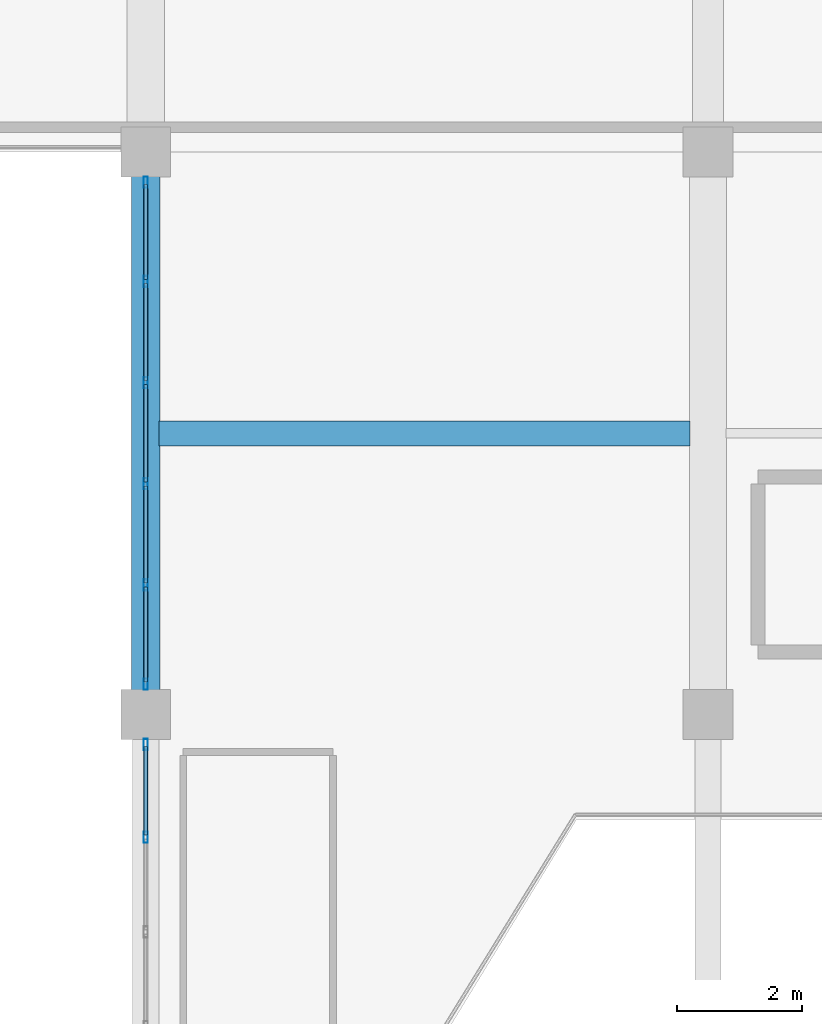
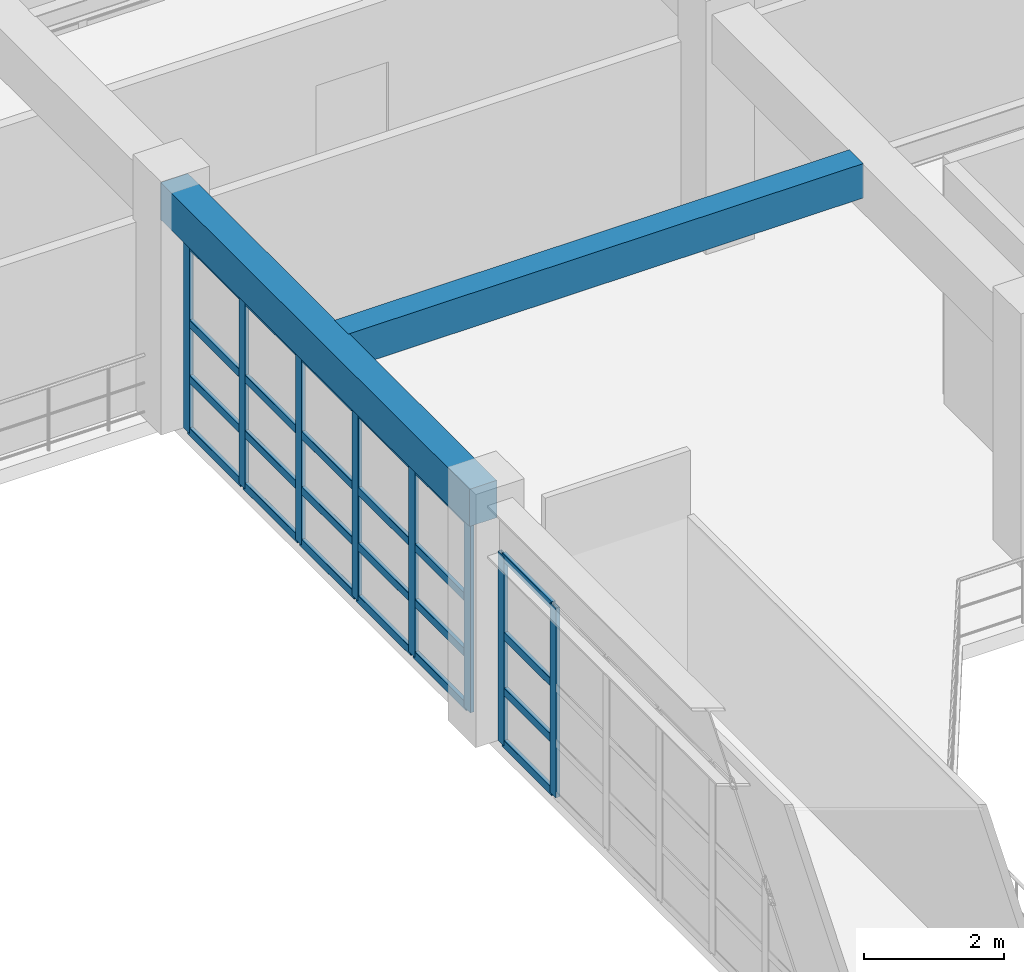
# One storey, part 48 of 133: 32 members, 2 beams, 2 elements without a shape of their own.
"""IFC4 building model written with IfcOpenShell, lengths in metres."""

from ifc_helpers import new_model, si_unit, direction, frame, origin, origin_2d, place, context, subcontext, project, spatial, rectangle, hollow_rectangle, extrude, material, material_profile, profile_set, type_object, element, aggregate, save


model = new_model("IFC4")

# Units and contexts
model_context = context("Model", 3, precision=1e-05, world=origin(), true_north=direction((0.0, 1.0)))
body_context = subcontext(model_context, "Body", "Model", "MODEL_VIEW")
ifc_project = project(units=[si_unit("LENGTHUNIT", "METRE"), si_unit("AREAUNIT", "SQUARE_METRE"), si_unit("VOLUMEUNIT", "CUBIC_METRE"), si_unit("PLANEANGLEUNIT", "RADIAN"), si_unit("MASSUNIT", "GRAM", prefix="KILO")], contexts=[model_context])

# Site, building, storey
site_placement = place(None, origin())
site = spatial("IfcSite", under=ifc_project, at=site_placement, CompositionType="ELEMENT")
building_placement = place(site_placement, origin())
building = spatial("IfcBuilding", under=site, at=building_placement, Name="Miravela Opera House", CompositionType="ELEMENT")
storey_placement = place(building_placement, frame((0.0, 0.0, 5.10009765625)))
storey = spatial("IfcBuildingStorey", under=building, at=storey_placement, Name="L01", CompositionType="ELEMENT", Elevation=5.10009765625)

# Curtain wall, members
ifc_material_1 = material(Name="Anodised architectural bronze aluminium 6063-T6", Category="aluminium")
curtain_wall_type = type_object("IfcCurtainWallType", Name="ARC-CW-01", PredefinedType="NOTDEFINED", material=ifc_material_1)
curtain_wall_1_placement = place(storey_placement, origin())
curtain_wall_1 = element("IfcCurtainWall", 1, at=curtain_wall_1_placement, inside=storey, type_object=curtain_wall_type, Name="West Foyer Upper Recessed Glazing CW-L01-005", PredefinedType="NOTDEFINED")
ifc_material_profile_1 = material_profile(ifc_material_1, hollow_rectangle(XDim=0.06494140625, YDim=0.179931640625, WallThickness=0.00390625, InnerFilletRadius=0.001953125, OuterFilletRadius=0.00390625, at=origin_2d()), Name="CWM-65X180")
ifc_profile_set_1 = profile_set([ifc_material_profile_1])
member_type_1 = type_object("IfcMemberType", Name="ARC-CWM-180", PredefinedType="MULLION", material=ifc_profile_set_1)
member_1_placement = place(storey_placement, frame((27.0, 64.033447265625, 0.0), z_axis=(0.0, 0.0, 1.0), x_axis=(-1.0, 0.0, 0.0)))
member_1 = element("IfcMember", 2, at=member_1_placement, type_object=member_type_1, Name="CW-01 mullion 6", PredefinedType="MULLION", context=body_context, shape_type="SweptSolid", body=[
    extrude(hollow_rectangle(XDim=0.06494140625, YDim=0.179931640625, WallThickness=0.00390625, InnerFilletRadius=0.001953125, OuterFilletRadius=0.00390625, at=origin_2d()), origin(), (0.0, 0.0, 1.0), 3.309814453125),
])
member_2_placement = place(storey_placement, frame((27.0, 65.517578125, 0.0), z_axis=(0.0, 0.0, 1.0), x_axis=(-1.0, 0.0, 0.0)))
member_2 = element("IfcMember", 3, at=member_2_placement, type_object=member_type_1, Name="CW-01 mullion 7", PredefinedType="MULLION", context=body_context, shape_type="SweptSolid", body=[
    extrude(hollow_rectangle(XDim=0.06494140625, YDim=0.179931640625, WallThickness=0.00390625, InnerFilletRadius=0.001953125, OuterFilletRadius=0.00390625, at=origin_2d()), origin(), (0.0, 0.0, 1.0), 3.309814453125),
])

curtain_wall_2_placement = place(storey_placement, origin())
curtain_wall_2 = element("IfcCurtainWall", 4, at=curtain_wall_2_placement, inside=storey, type_object=curtain_wall_type, Name="West Foyer Upper Recessed Glazing CW-L01-006", PredefinedType="NOTDEFINED")
member_3_placement = place(storey_placement, frame((27.0, 66.482421875, 0.0), z_axis=(0.0, 0.0, 1.0), x_axis=(-1.0, 0.0, 0.0)))
member_3 = element("IfcMember", 5, at=member_3_placement, type_object=member_type_1, Name="CW-01 mullion 1", PredefinedType="MULLION", context=body_context, shape_type="SweptSolid", body=[
    extrude(hollow_rectangle(XDim=0.06494140625, YDim=0.179931640625, WallThickness=0.00390625, InnerFilletRadius=0.001953125, OuterFilletRadius=0.00390625, at=origin_2d()), origin(), (0.0, 0.0, 1.0), 3.309814453125),
])
member_4_placement = place(storey_placement, frame((27.0, 68.070068359375, 0.0), z_axis=(0.0, 0.0, 1.0), x_axis=(-1.0, 0.0, 0.0)))
member_4 = element("IfcMember", 6, at=member_4_placement, type_object=member_type_1, Name="CW-01 mullion 2", PredefinedType="MULLION", context=body_context, shape_type="SweptSolid", body=[
    extrude(hollow_rectangle(XDim=0.06494140625, YDim=0.179931640625, WallThickness=0.00390625, InnerFilletRadius=0.001953125, OuterFilletRadius=0.00390625, at=origin_2d()), origin(), (0.0, 0.0, 1.0), 3.309814453125),
])
member_5_placement = place(storey_placement, frame((27.0, 69.68994140625, 0.0), z_axis=(0.0, 0.0, 1.0), x_axis=(-1.0, 0.0, 0.0)))
member_5 = element("IfcMember", 7, at=member_5_placement, type_object=member_type_1, Name="CW-01 mullion 3", PredefinedType="MULLION", context=body_context, shape_type="SweptSolid", body=[
    extrude(hollow_rectangle(XDim=0.06494140625, YDim=0.179931640625, WallThickness=0.00390625, InnerFilletRadius=0.001953125, OuterFilletRadius=0.00390625, at=origin_2d()), origin(), (0.0, 0.0, 1.0), 3.309814453125),
])
member_6_placement = place(storey_placement, frame((27.0, 71.31005859375, 0.0), z_axis=(0.0, 0.0, 1.0), x_axis=(-1.0, 0.0, 0.0)))
member_6 = element("IfcMember", 8, at=member_6_placement, type_object=member_type_1, Name="CW-01 mullion 4", PredefinedType="MULLION", context=body_context, shape_type="SweptSolid", body=[
    extrude(hollow_rectangle(XDim=0.06494140625, YDim=0.179931640625, WallThickness=0.00390625, InnerFilletRadius=0.001953125, OuterFilletRadius=0.00390625, at=origin_2d()), origin(), (0.0, 0.0, 1.0), 3.309814453125),
])
member_7_placement = place(storey_placement, frame((27.0, 72.929931640625, 0.0), z_axis=(0.0, 0.0, 1.0), x_axis=(-1.0, 0.0, 0.0)))
member_7 = element("IfcMember", 9, at=member_7_placement, type_object=member_type_1, Name="CW-01 mullion 5", PredefinedType="MULLION", context=body_context, shape_type="SweptSolid", body=[
    extrude(hollow_rectangle(XDim=0.06494140625, YDim=0.179931640625, WallThickness=0.00390625, InnerFilletRadius=0.001953125, OuterFilletRadius=0.00390625, at=origin_2d()), origin(), (0.0, 0.0, 1.0), 3.309814453125),
])
member_8_placement = place(storey_placement, frame((27.0, 74.517578125, 0.0), z_axis=(0.0, 0.0, 1.0), x_axis=(-1.0, 0.0, 0.0)))
member_8 = element("IfcMember", 10, at=member_8_placement, type_object=member_type_1, Name="CW-01 mullion 6", PredefinedType="MULLION", context=body_context, shape_type="SweptSolid", body=[
    extrude(hollow_rectangle(XDim=0.06494140625, YDim=0.179931640625, WallThickness=0.00390625, InnerFilletRadius=0.001953125, OuterFilletRadius=0.00390625, at=origin_2d()), origin(), (0.0, 0.0, 1.0), 3.309814453125),
])

# Member
ifc_material_profile_2 = material_profile(ifc_material_1, hollow_rectangle(XDim=0.06494140625, YDim=0.139892578125, WallThickness=0.00390625, InnerFilletRadius=0.001953125, OuterFilletRadius=0.00390625, at=origin_2d()), Name="CWT-65X140")
ifc_profile_set_2 = profile_set([ifc_material_profile_2])
member_type_2 = type_object("IfcMemberType", Name="ARC-CWT-140", PredefinedType="USERDEFINED", material=ifc_profile_set_2)
member_9_placement = place(storey_placement, frame((27.0, 64.06591796875, 0.032470703125), z_axis=(0.0, 1.0, 0.0), x_axis=(-1.0, 0.0, 0.0)))
member_9 = element("IfcMember", 11, at=member_9_placement, type_object=member_type_2, Name="CW-01 transom 6.1", ObjectType="TRANSOM", PredefinedType="USERDEFINED", context=body_context, shape_type="SweptSolid", body=[
    extrude(hollow_rectangle(XDim=0.06494140625, YDim=0.139892578125, WallThickness=0.00390625, InnerFilletRadius=0.001953125, OuterFilletRadius=0.00390625, at=origin_2d()), origin(), (0.0, 0.0, 1.0), 1.419189453125),
])

member_10_placement = place(storey_placement, frame((27.0, 64.06591796875, 0.949951171875), z_axis=(0.0, 1.0, 0.0), x_axis=(-1.0, 0.0, 0.0)))
member_10 = element("IfcMember", 12, at=member_10_placement, type_object=member_type_2, Name="CW-01 transom 6.2", ObjectType="TRANSOM", PredefinedType="USERDEFINED", context=body_context, shape_type="SweptSolid", body=[
    extrude(hollow_rectangle(XDim=0.06494140625, YDim=0.139892578125, WallThickness=0.00390625, InnerFilletRadius=0.001953125, OuterFilletRadius=0.00390625, at=origin_2d()), origin(), (0.0, 0.0, 1.0), 1.419189453125),
])

member_11_placement = place(storey_placement, frame((27.0, 64.06591796875, 1.919677734375), z_axis=(0.0, 1.0, 0.0), x_axis=(-1.0, 0.0, 0.0)))
member_11 = element("IfcMember", 13, at=member_11_placement, type_object=member_type_2, Name="CW-01 transom 6.3", ObjectType="TRANSOM", PredefinedType="USERDEFINED", context=body_context, shape_type="SweptSolid", body=[
    extrude(hollow_rectangle(XDim=0.06494140625, YDim=0.139892578125, WallThickness=0.00390625, InnerFilletRadius=0.001953125, OuterFilletRadius=0.00390625, at=origin_2d()), origin(), (0.0, 0.0, 1.0), 1.419189453125),
])

member_12_placement = place(storey_placement, frame((27.0, 64.06591796875, 3.27734375), z_axis=(0.0, 1.0, 0.0), x_axis=(-1.0, 0.0, 0.0)))
member_12 = element("IfcMember", 14, at=member_12_placement, type_object=member_type_2, Name="CW-01 transom 6.4", ObjectType="TRANSOM", PredefinedType="USERDEFINED", context=body_context, shape_type="SweptSolid", body=[
    extrude(hollow_rectangle(XDim=0.06494140625, YDim=0.139892578125, WallThickness=0.00390625, InnerFilletRadius=0.001953125, OuterFilletRadius=0.00390625, at=origin_2d()), origin(), (0.0, 0.0, 1.0), 1.419189453125),
])

aggregate(curtain_wall_1, [member_1, member_2, member_9, member_10, member_11, member_12])

member_13_placement = place(storey_placement, frame((27.0, 66.514892578125, 0.032470703125), z_axis=(0.0, 1.0, 0.0), x_axis=(-1.0, 0.0, 0.0)))
member_13 = element("IfcMember", 15, at=member_13_placement, type_object=member_type_2, Name="CW-01 transom 1.1", ObjectType="TRANSOM", PredefinedType="USERDEFINED", context=body_context, shape_type="SweptSolid", body=[
    extrude(hollow_rectangle(XDim=0.06494140625, YDim=0.139892578125, WallThickness=0.00390625, InnerFilletRadius=0.001953125, OuterFilletRadius=0.00390625, at=origin_2d()), origin(), (0.0, 0.0, 1.0), 1.522705078125),
])

member_14_placement = place(storey_placement, frame((27.0, 66.514892578125, 0.949951171875), z_axis=(0.0, 1.0, 0.0), x_axis=(-1.0, 0.0, 0.0)))
member_14 = element("IfcMember", 16, at=member_14_placement, type_object=member_type_2, Name="CW-01 transom 1.2", ObjectType="TRANSOM", PredefinedType="USERDEFINED", context=body_context, shape_type="SweptSolid", body=[
    extrude(hollow_rectangle(XDim=0.06494140625, YDim=0.139892578125, WallThickness=0.00390625, InnerFilletRadius=0.001953125, OuterFilletRadius=0.00390625, at=origin_2d()), origin(), (0.0, 0.0, 1.0), 1.522705078125),
])

member_15_placement = place(storey_placement, frame((27.0, 66.514892578125, 1.919677734375), z_axis=(0.0, 1.0, 0.0), x_axis=(-1.0, 0.0, 0.0)))
member_15 = element("IfcMember", 17, at=member_15_placement, type_object=member_type_2, Name="CW-01 transom 1.3", ObjectType="TRANSOM", PredefinedType="USERDEFINED", context=body_context, shape_type="SweptSolid", body=[
    extrude(hollow_rectangle(XDim=0.06494140625, YDim=0.139892578125, WallThickness=0.00390625, InnerFilletRadius=0.001953125, OuterFilletRadius=0.00390625, at=origin_2d()), origin(), (0.0, 0.0, 1.0), 1.522705078125),
])

member_16_placement = place(storey_placement, frame((27.0, 66.514892578125, 3.27734375), z_axis=(0.0, 1.0, 0.0), x_axis=(-1.0, 0.0, 0.0)))
member_16 = element("IfcMember", 18, at=member_16_placement, type_object=member_type_2, Name="CW-01 transom 1.4", ObjectType="TRANSOM", PredefinedType="USERDEFINED", context=body_context, shape_type="SweptSolid", body=[
    extrude(hollow_rectangle(XDim=0.06494140625, YDim=0.139892578125, WallThickness=0.00390625, InnerFilletRadius=0.001953125, OuterFilletRadius=0.00390625, at=origin_2d()), origin(), (0.0, 0.0, 1.0), 1.522705078125),
])

member_17_placement = place(storey_placement, frame((27.0, 68.1025390625, 0.032470703125), z_axis=(0.0, 1.0, 0.0), x_axis=(-1.0, 0.0, 0.0)))
member_17 = element("IfcMember", 19, at=member_17_placement, type_object=member_type_2, Name="CW-01 transom 2.1", ObjectType="TRANSOM", PredefinedType="USERDEFINED", context=body_context, shape_type="SweptSolid", body=[
    extrude(hollow_rectangle(XDim=0.06494140625, YDim=0.139892578125, WallThickness=0.00390625, InnerFilletRadius=0.001953125, OuterFilletRadius=0.00390625, at=origin_2d()), origin(), (0.0, 0.0, 1.0), 1.554931640625),
])

member_18_placement = place(storey_placement, frame((27.0, 68.1025390625, 0.949951171875), z_axis=(0.0, 1.0, 0.0), x_axis=(-1.0, 0.0, 0.0)))
member_18 = element("IfcMember", 20, at=member_18_placement, type_object=member_type_2, Name="CW-01 transom 2.2", ObjectType="TRANSOM", PredefinedType="USERDEFINED", context=body_context, shape_type="SweptSolid", body=[
    extrude(hollow_rectangle(XDim=0.06494140625, YDim=0.139892578125, WallThickness=0.00390625, InnerFilletRadius=0.001953125, OuterFilletRadius=0.00390625, at=origin_2d()), origin(), (0.0, 0.0, 1.0), 1.554931640625),
])

member_19_placement = place(storey_placement, frame((27.0, 68.1025390625, 1.919677734375), z_axis=(0.0, 1.0, 0.0), x_axis=(-1.0, 0.0, 0.0)))
member_19 = element("IfcMember", 21, at=member_19_placement, type_object=member_type_2, Name="CW-01 transom 2.3", ObjectType="TRANSOM", PredefinedType="USERDEFINED", context=body_context, shape_type="SweptSolid", body=[
    extrude(hollow_rectangle(XDim=0.06494140625, YDim=0.139892578125, WallThickness=0.00390625, InnerFilletRadius=0.001953125, OuterFilletRadius=0.00390625, at=origin_2d()), origin(), (0.0, 0.0, 1.0), 1.554931640625),
])

member_20_placement = place(storey_placement, frame((27.0, 68.1025390625, 3.27734375), z_axis=(0.0, 1.0, 0.0), x_axis=(-1.0, 0.0, 0.0)))
member_20 = element("IfcMember", 22, at=member_20_placement, type_object=member_type_2, Name="CW-01 transom 2.4", ObjectType="TRANSOM", PredefinedType="USERDEFINED", context=body_context, shape_type="SweptSolid", body=[
    extrude(hollow_rectangle(XDim=0.06494140625, YDim=0.139892578125, WallThickness=0.00390625, InnerFilletRadius=0.001953125, OuterFilletRadius=0.00390625, at=origin_2d()), origin(), (0.0, 0.0, 1.0), 1.554931640625),
])

member_21_placement = place(storey_placement, frame((27.0, 69.722412109375, 0.032470703125), z_axis=(0.0, 1.0, 0.0), x_axis=(-1.0, 0.0, 0.0)))
member_21 = element("IfcMember", 23, at=member_21_placement, type_object=member_type_2, Name="CW-01 transom 3.1", ObjectType="TRANSOM", PredefinedType="USERDEFINED", context=body_context, shape_type="SweptSolid", body=[
    extrude(hollow_rectangle(XDim=0.06494140625, YDim=0.139892578125, WallThickness=0.00390625, InnerFilletRadius=0.001953125, OuterFilletRadius=0.00390625, at=origin_2d()), origin(), (0.0, 0.0, 1.0), 1.55517578125),
])

member_22_placement = place(storey_placement, frame((27.0, 69.722412109375, 0.949951171875), z_axis=(0.0, 1.0, 0.0), x_axis=(-1.0, 0.0, 0.0)))
member_22 = element("IfcMember", 24, at=member_22_placement, type_object=member_type_2, Name="CW-01 transom 3.2", ObjectType="TRANSOM", PredefinedType="USERDEFINED", context=body_context, shape_type="SweptSolid", body=[
    extrude(hollow_rectangle(XDim=0.06494140625, YDim=0.139892578125, WallThickness=0.00390625, InnerFilletRadius=0.001953125, OuterFilletRadius=0.00390625, at=origin_2d()), origin(), (0.0, 0.0, 1.0), 1.55517578125),
])

member_23_placement = place(storey_placement, frame((27.0, 69.722412109375, 1.919677734375), z_axis=(0.0, 1.0, 0.0), x_axis=(-1.0, 0.0, 0.0)))
member_23 = element("IfcMember", 25, at=member_23_placement, type_object=member_type_2, Name="CW-01 transom 3.3", ObjectType="TRANSOM", PredefinedType="USERDEFINED", context=body_context, shape_type="SweptSolid", body=[
    extrude(hollow_rectangle(XDim=0.06494140625, YDim=0.139892578125, WallThickness=0.00390625, InnerFilletRadius=0.001953125, OuterFilletRadius=0.00390625, at=origin_2d()), origin(), (0.0, 0.0, 1.0), 1.55517578125),
])

member_24_placement = place(storey_placement, frame((27.0, 69.722412109375, 3.27734375), z_axis=(0.0, 1.0, 0.0), x_axis=(-1.0, 0.0, 0.0)))
member_24 = element("IfcMember", 26, at=member_24_placement, type_object=member_type_2, Name="CW-01 transom 3.4", ObjectType="TRANSOM", PredefinedType="USERDEFINED", context=body_context, shape_type="SweptSolid", body=[
    extrude(hollow_rectangle(XDim=0.06494140625, YDim=0.139892578125, WallThickness=0.00390625, InnerFilletRadius=0.001953125, OuterFilletRadius=0.00390625, at=origin_2d()), origin(), (0.0, 0.0, 1.0), 1.55517578125),
])

member_25_placement = place(storey_placement, frame((27.0, 71.342529296875, 0.032470703125), z_axis=(0.0, 1.0, 0.0), x_axis=(-1.0, 0.0, 0.0)))
member_25 = element("IfcMember", 27, at=member_25_placement, type_object=member_type_2, Name="CW-01 transom 4.1", ObjectType="TRANSOM", PredefinedType="USERDEFINED", context=body_context, shape_type="SweptSolid", body=[
    extrude(hollow_rectangle(XDim=0.06494140625, YDim=0.139892578125, WallThickness=0.00390625, InnerFilletRadius=0.001953125, OuterFilletRadius=0.00390625, at=origin_2d()), origin(), (0.0, 0.0, 1.0), 1.554931640625),
])

member_26_placement = place(storey_placement, frame((27.0, 71.342529296875, 0.949951171875), z_axis=(0.0, 1.0, 0.0), x_axis=(-1.0, 0.0, 0.0)))
member_26 = element("IfcMember", 28, at=member_26_placement, type_object=member_type_2, Name="CW-01 transom 4.2", ObjectType="TRANSOM", PredefinedType="USERDEFINED", context=body_context, shape_type="SweptSolid", body=[
    extrude(hollow_rectangle(XDim=0.06494140625, YDim=0.139892578125, WallThickness=0.00390625, InnerFilletRadius=0.001953125, OuterFilletRadius=0.00390625, at=origin_2d()), origin(), (0.0, 0.0, 1.0), 1.554931640625),
])

member_27_placement = place(storey_placement, frame((27.0, 71.342529296875, 1.919677734375), z_axis=(0.0, 1.0, 0.0), x_axis=(-1.0, 0.0, 0.0)))
member_27 = element("IfcMember", 29, at=member_27_placement, type_object=member_type_2, Name="CW-01 transom 4.3", ObjectType="TRANSOM", PredefinedType="USERDEFINED", context=body_context, shape_type="SweptSolid", body=[
    extrude(hollow_rectangle(XDim=0.06494140625, YDim=0.139892578125, WallThickness=0.00390625, InnerFilletRadius=0.001953125, OuterFilletRadius=0.00390625, at=origin_2d()), origin(), (0.0, 0.0, 1.0), 1.554931640625),
])

member_28_placement = place(storey_placement, frame((27.0, 71.342529296875, 3.27734375), z_axis=(0.0, 1.0, 0.0), x_axis=(-1.0, 0.0, 0.0)))
member_28 = element("IfcMember", 30, at=member_28_placement, type_object=member_type_2, Name="CW-01 transom 4.4", ObjectType="TRANSOM", PredefinedType="USERDEFINED", context=body_context, shape_type="SweptSolid", body=[
    extrude(hollow_rectangle(XDim=0.06494140625, YDim=0.139892578125, WallThickness=0.00390625, InnerFilletRadius=0.001953125, OuterFilletRadius=0.00390625, at=origin_2d()), origin(), (0.0, 0.0, 1.0), 1.554931640625),
])

member_29_placement = place(storey_placement, frame((27.0, 72.96240234375, 0.032470703125), z_axis=(0.0, 1.0, 0.0), x_axis=(-1.0, 0.0, 0.0)))
member_29 = element("IfcMember", 31, at=member_29_placement, type_object=member_type_2, Name="CW-01 transom 5.1", ObjectType="TRANSOM", PredefinedType="USERDEFINED", context=body_context, shape_type="SweptSolid", body=[
    extrude(hollow_rectangle(XDim=0.06494140625, YDim=0.139892578125, WallThickness=0.00390625, InnerFilletRadius=0.001953125, OuterFilletRadius=0.00390625, at=origin_2d()), origin(), (0.0, 0.0, 1.0), 1.522705078125),
])

member_30_placement = place(storey_placement, frame((27.0, 72.96240234375, 0.949951171875), z_axis=(0.0, 1.0, 0.0), x_axis=(-1.0, 0.0, 0.0)))
member_30 = element("IfcMember", 32, at=member_30_placement, type_object=member_type_2, Name="CW-01 transom 5.2", ObjectType="TRANSOM", PredefinedType="USERDEFINED", context=body_context, shape_type="SweptSolid", body=[
    extrude(hollow_rectangle(XDim=0.06494140625, YDim=0.139892578125, WallThickness=0.00390625, InnerFilletRadius=0.001953125, OuterFilletRadius=0.00390625, at=origin_2d()), origin(), (0.0, 0.0, 1.0), 1.522705078125),
])

member_31_placement = place(storey_placement, frame((27.0, 72.96240234375, 1.919677734375), z_axis=(0.0, 1.0, 0.0), x_axis=(-1.0, 0.0, 0.0)))
member_31 = element("IfcMember", 33, at=member_31_placement, type_object=member_type_2, Name="CW-01 transom 5.3", ObjectType="TRANSOM", PredefinedType="USERDEFINED", context=body_context, shape_type="SweptSolid", body=[
    extrude(hollow_rectangle(XDim=0.06494140625, YDim=0.139892578125, WallThickness=0.00390625, InnerFilletRadius=0.001953125, OuterFilletRadius=0.00390625, at=origin_2d()), origin(), (0.0, 0.0, 1.0), 1.522705078125),
])

member_32_placement = place(storey_placement, frame((27.0, 72.96240234375, 3.27734375), z_axis=(0.0, 1.0, 0.0), x_axis=(-1.0, 0.0, 0.0)))
member_32 = element("IfcMember", 34, at=member_32_placement, type_object=member_type_2, Name="CW-01 transom 5.4", ObjectType="TRANSOM", PredefinedType="USERDEFINED", context=body_context, shape_type="SweptSolid", body=[
    extrude(hollow_rectangle(XDim=0.06494140625, YDim=0.139892578125, WallThickness=0.00390625, InnerFilletRadius=0.001953125, OuterFilletRadius=0.00390625, at=origin_2d()), origin(), (0.0, 0.0, 1.0), 1.522705078125),
])

aggregate(curtain_wall_2, [member_3, member_4, member_5, member_6, member_7, member_8, member_13, member_14, member_15, member_16, member_17, member_18, member_19, member_20, member_21, member_22, member_23, member_24, member_25, member_26, member_27, member_28, member_29, member_30, member_31, member_32])

# Beams
ifc_material_2 = material(Name="Concrete C35/45", Category="concrete")
ifc_material_profile_3 = material_profile(ifc_material_2, rectangle(XDim=0.39990234375, YDim=0.60009765625, at=origin_2d()), Name="RC-BM-400X600")
ifc_profile_set_3 = profile_set([ifc_material_profile_3])
beam_type_1 = type_object("IfcBeamType", Name="STR-BM-RC400X600", PredefinedType="JOIST", material=ifc_profile_set_3)
beam_1_placement = place(storey_placement, frame((27.2099609375, 70.5, 3.85986328125), z_axis=(1.0, 0.0, 0.0), x_axis=(0.0, 1.0, 0.0)))
element("IfcBeam", 35, at=beam_1_placement, inside=storey, type_object=beam_type_1, Name="Secondary Floor Joist L01 4-5/H-I", PredefinedType="JOIST", context=body_context, shape_type="SweptSolid", body=[
    extrude(rectangle(XDim=0.39990234375, YDim=0.60009765625, at=origin_2d()), origin(), (0.0, 0.0, 1.0), 8.505126953125),
])
ifc_material_profile_4 = material_profile(ifc_material_2, rectangle(XDim=0.449951171875, YDim=0.64990234375, at=origin_2d()), Name="RC-BM-450X650")
ifc_profile_set_4 = profile_set([ifc_material_profile_4])
beam_type_2 = type_object("IfcBeamType", Name="STR-BM-RC450X650", PredefinedType="BEAM", material=ifc_profile_set_4)
beam_2_placement = place(storey_placement, frame((27.0, 66.080078125, 3.8349609375), z_axis=(0.0, 1.0, 0.0), x_axis=(-1.0, 0.0, 0.0)))
element("IfcBeam", 36, at=beam_2_placement, inside=storey, type_object=beam_type_2, Name="Floor Girder L01 4/H-I", PredefinedType="BEAM", context=body_context, shape_type="SweptSolid", body=[
    extrude(rectangle(XDim=0.449951171875, YDim=0.64990234375, at=origin_2d()), origin(), (0.0, 0.0, 1.0), 8.83984375),
])

save(model, "model.ifc")
